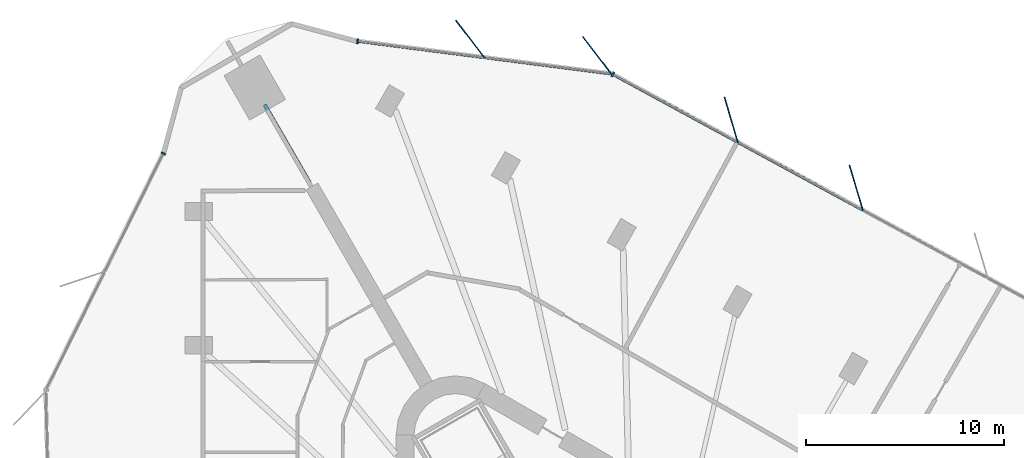
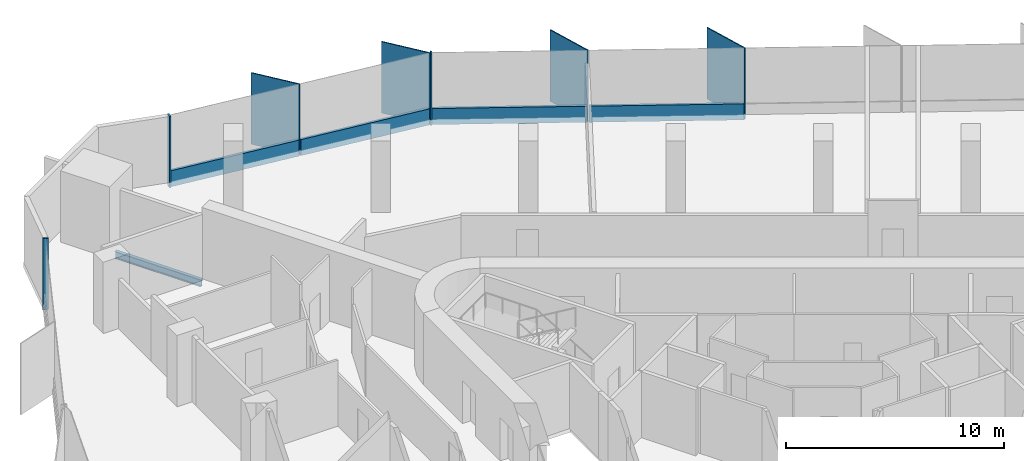
# One storey, part 6 of 14: 11 members, 1 beam, 3 elements without a shape of their own.
"""IFC4 building model written with IfcOpenShell, lengths in metres."""

import ifcopenshell
import ifcopenshell.guid

model = None  # the IFC model being written
_history = None  # IfcOwnerHistory: only IFC2X3 demands one
_inside = {}  # id of a spatial element -> (the spatial element, [elements in it])
_under = {}  # id of a project, library or spatial element -> (it, [spatial elements below it])
_declared = {}  # id of a project -> (the project, [libraries it declares])
_typed = {}  # id of a type object -> (the type object, [elements of that type])
_made_of = {}  # id of a material, layer set ... -> (it, [elements and type objects made of it])


def new_model(schema):
    """Start an empty IFC model of exactly this schema.

    Asked for "IFC4X3", IfcOpenShell would pick the latest addendum, in which some entities
    have other attributes; the version numbers below select the first issue.
    IFC2X3 requires an IfcOwnerHistory on every rooted entity: one is made here for all.
    """
    global model, _history
    if schema == "IFC4X3":
        model = ifcopenshell.file(schema_version=(4, 3, 0, 0))
    else:
        model = ifcopenshell.file(schema=schema)
    _inside.clear()
    _under.clear()
    _declared.clear()
    _typed.clear()
    _made_of.clear()
    _history = None
    if model.schema == "IFC2X3":
        org = make("IfcOrganization", Name="unknown")
        user = make(
            "IfcPersonAndOrganization",
            ThePerson=make("IfcPerson", FamilyName="unknown"),
            TheOrganization=org,
        )
        app = make(
            "IfcApplication",
            ApplicationDeveloper=org,
            Version="unknown",
            ApplicationFullName="unknown",
            ApplicationIdentifier="unknown",
        )
        _history = make(
            "IfcOwnerHistory",
            OwningUser=user,
            OwningApplication=app,
            ChangeAction="ADDED",
            CreationDate=0,
        )
    return model


def make(cls, **values):
    """One entity of the class cls with the attributes given. An attribute that is None is left unset."""
    return model.create_entity(
        cls, **{name: value for name, value in values.items() if value is not None}
    )


def rooted(cls, **values):
    """An entity with a GlobalId (a new one), such as an element, a storey or a relation."""
    return make(cls, GlobalId=ifcopenshell.guid.new(), OwnerHistory=_history, **values)


def si_unit(unit_type, name, prefix=None):
    """IfcSIUnit, for example si_unit("LENGTHUNIT", "METRE", prefix="MILLI")."""
    return make("IfcSIUnit", UnitType=unit_type, Prefix=prefix, Name=name)


def assignment(units):
    """IfcUnitAssignment: the units of a project."""
    return None if units is None else make("IfcUnitAssignment", Units=units)


def point(xyz):
    """IfcCartesianPoint."""
    return None if xyz is None else make("IfcCartesianPoint", Coordinates=xyz)


def direction(xyz):
    """IfcDirection."""
    return None if xyz is None else make("IfcDirection", DirectionRatios=xyz)


def frame(location, z_axis=None, x_axis=None):
    """IfcAxis2Placement3D, a coordinate frame: its origin and axes. An axis left out is left unset."""
    return make(
        "IfcAxis2Placement3D",
        Location=point(location),
        Axis=direction(z_axis),
        RefDirection=direction(x_axis),
    )


def frame_2d(location, x_axis=None):
    """IfcAxis2Placement2D, a coordinate frame in the plane: its origin and x axis."""
    return make(
        "IfcAxis2Placement2D", Location=point(location), RefDirection=direction(x_axis)
    )


def origin():
    """The frame at (0, 0, 0) with its axes left unset."""
    return frame((0.0, 0.0, 0.0))


def origin_2d():
    """The frame at (0, 0) in the plane with its x axis left unset."""
    return frame_2d((0.0, 0.0))


def place(relative_to, where):
    """IfcLocalPlacement: puts the frame where relative to a parent placement (None: the world)."""
    return make(
        "IfcLocalPlacement", PlacementRelTo=relative_to, RelativePlacement=where
    )


def context(
    kind, dimensions, precision=None, world=None, true_north=None, identifier=None
):
    """IfcGeometricRepresentationContext, for example the 3D "Model" context."""
    return make(
        "IfcGeometricRepresentationContext",
        ContextIdentifier=identifier,
        ContextType=kind,
        CoordinateSpaceDimension=dimensions,
        Precision=precision,
        WorldCoordinateSystem=world,
        TrueNorth=true_north,
    )


def subcontext(parent, identifier, kind, view, scale=None):
    """IfcGeometricRepresentationSubContext, for example "Body" below "Model"."""
    return make(
        "IfcGeometricRepresentationSubContext",
        ContextIdentifier=identifier,
        ContextType=kind,
        ParentContext=parent,
        TargetScale=scale,
        TargetView=view,
    )


def project(units=None, contexts=None):
    """IfcProject with its units and contexts."""
    return rooted(
        "IfcProject",
        Name="project",
        RepresentationContexts=contexts,
        UnitsInContext=assignment(units),
    )


def spatial(cls, under=None, at=None, **own):
    """A site, building, storey or space (cls), placed at a placement, below another one or the project."""
    s = rooted(cls, ObjectPlacement=at, **own)
    if under is not None:
        _under.setdefault(under.id(), (under, []))[1].append(s)
    return s


def profile(cls, at=None, kind="AREA", **sizes):
    """A parametric profile (cls). Its sizes go by their IFC names, for example OverallWidth=200.0."""
    return make(cls, ProfileType=kind, Position=at, **sizes)


def rectangle(**sizes):
    """IfcRectangleProfileDef."""
    return profile("IfcRectangleProfileDef", **sizes)


def i_section(**sizes):
    """IfcIShapeProfileDef."""
    return profile("IfcIShapeProfileDef", **sizes)


def extrude(swept, where, along, depth):
    """IfcExtrudedAreaSolid: the profile swept, set in the frame where, extruded along a direction by depth."""
    return make(
        "IfcExtrudedAreaSolid",
        SweptArea=swept,
        Position=where,
        ExtrudedDirection=direction(along),
        Depth=depth,
    )


def shape(context_of_items, identifier, shape_type, items):
    """IfcShapeRepresentation: the items that make up one representation, for example the "Body"."""
    return make(
        "IfcShapeRepresentation",
        ContextOfItems=context_of_items,
        RepresentationIdentifier=identifier,
        RepresentationType=shape_type,
        Items=items,
    )


def material(Name=None, Category=None):
    """IfcMaterial."""
    return make("IfcMaterial", Name=Name, Category=Category)


def material_profile(
    of_material, cross_section, Name=None, Category=None, Priority=None
):
    """IfcMaterialProfile: a cross section and its material."""
    return make(
        "IfcMaterialProfile",
        Name=Name,
        Material=of_material,
        Profile=cross_section,
        Priority=Priority,
        Category=Category,
    )


def profile_set(profiles, Name=None, composite=None):
    """IfcMaterialProfileSet."""
    return make(
        "IfcMaterialProfileSet",
        Name=Name,
        MaterialProfiles=profiles,
        CompositeProfile=composite,
    )


def made_of(thing, what):
    """Note that an element or type object is made of a material, layer set ...; save() writes the relation."""
    if what is not None:
        _made_of.setdefault(what.id(), (what, []))[1].append(thing)
    return thing


def type_object(cls, material=None, **own):
    """A type object (cls), such as IfcWallType, which elements share."""
    return made_of(rooted(cls, **own), material)


def element(
    cls,
    number,
    at=None,
    inside=None,
    cuts=None,
    type_object=None,
    material=None,
    context=None,
    identifier="Body",
    shape_type=None,
    held_by="IfcProductDefinitionShape",
    body=None,
    shapes=None,
    **own,
):
    """One element of the class cls, such as IfcWall. Its Tag is "e" and its number.

    at: its placement. inside: the storey or other place that contains it. cuts: it is an
    opening in that element (IfcRelVoidsElement). A single representation is given by context,
    identifier, shape_type and body (its items); several are given by shapes. held_by: the class
    of the entity that holds the representations. save() writes the other relations.
    """
    e = rooted(cls, Tag="e%d" % number, ObjectPlacement=at, **own)
    if body is not None:
        shapes = [shape(context, identifier, shape_type, body)]
    if shapes is not None:
        e.Representation = make(held_by, Representations=shapes)
    if inside is not None:
        _inside.setdefault(inside.id(), (inside, []))[1].append(e)
    if cuts is not None:
        rooted(
            "IfcRelVoidsElement", RelatingBuildingElement=cuts, RelatedOpeningElement=e
        )
    if type_object is not None:
        _typed.setdefault(type_object.id(), (type_object, []))[1].append(e)
    return made_of(e, material)


def aggregate(whole, parts):
    """IfcRelAggregates: a whole, such as a stair, and the parts it consists of."""
    return rooted("IfcRelAggregates", RelatingObject=whole, RelatedObjects=parts)


def save(model, path):
    """Write the relations noted so far, then the file.

    IfcRelAggregates (storeys below a building ...), IfcRelContainedInSpatialStructure (elements
    in a storey), IfcRelDefinesByType, IfcRelAssociatesMaterial and IfcRelDeclares: one each for
    every whole, place, type object, material and project.
    """
    for whole, parts in _under.values():
        aggregate(whole, parts)
    for where, things in _inside.values():
        rooted(
            "IfcRelContainedInSpatialStructure",
            RelatedElements=things,
            RelatingStructure=where,
        )
    for kind, things in _typed.values():
        rooted("IfcRelDefinesByType", RelatedObjects=things, RelatingType=kind)
    for what, things in _made_of.values():
        rooted("IfcRelAssociatesMaterial", RelatedObjects=things, RelatingMaterial=what)
    for by, libraries in _declared.values():
        rooted("IfcRelDeclares", RelatingContext=by, RelatedDefinitions=libraries)
    model.write(path)


model = new_model("IFC4")

# Units and contexts
model_context = context("Model", 3, precision=1e-05, world=origin(), true_north=direction((0.0, 1.0)))
body_context = subcontext(model_context, "Body", "Model", "MODEL_VIEW")
ifc_project = project(units=[si_unit("LENGTHUNIT", "METRE"), si_unit("AREAUNIT", "SQUARE_METRE"), si_unit("VOLUMEUNIT", "CUBIC_METRE"), si_unit("PLANEANGLEUNIT", "RADIAN"), si_unit("MASSUNIT", "GRAM", prefix="KILO")], contexts=[model_context])

# Site, building, storey
site_placement = place(None, origin())
site = spatial("IfcSite", under=ifc_project, at=site_placement, CompositionType="ELEMENT")
building_placement = place(site_placement, origin())
building = spatial("IfcBuilding", under=site, at=building_placement, Name="Tanit Gate Tower", CompositionType="ELEMENT")
storey_placement = place(building_placement, frame((0.0, 0.0, 217.199951171875)))
storey = spatial("IfcBuildingStorey", under=building, at=storey_placement, Name="L48", CompositionType="ELEMENT", Elevation=217.199951171875)

# Curtain wall, members
ifc_material_1 = material(Name="Aluminium bronze anodised and glass", Category="aluminium")
curtain_wall_type = type_object("IfcCurtainWallType", Name="Curtain wall typical mid", PredefinedType="NOTDEFINED", material=ifc_material_1)
curtain_wall_1_placement = place(storey_placement, origin())
curtain_wall_1 = element("IfcCurtainWall", 1, at=curtain_wall_1_placement, inside=storey, type_object=curtain_wall_type, Name="Curtain wall L48 NE2", PredefinedType="NOTDEFINED")
ifc_material_2 = material(Name="Aluminium bronze anodised", Category="aluminium")
ifc_material_profile_1 = material_profile(ifc_material_2, rectangle(XDim=2.39990234375, YDim=0.055908203125, at=origin_2d()), Name="56x2400 bronze fin mullion")
ifc_profile_set_1 = profile_set([ifc_material_profile_1], Name="Aluminium bronze anodised")
member_type_1 = type_object("IfcMemberType", Name="FIN MULLION 56x2400 bronze", PredefinedType="MULLION", material=ifc_profile_set_1)
member_1_placement = place(storey_placement, frame((11.185546875, 28.281982421875, -0.300048828125), z_axis=(0.0, 0.0, 1.0), x_axis=(0.283905588939, -0.958852239174, 0.0)))
member_1 = element("IfcMember", 2, at=member_1_placement, type_object=member_type_1, Name="Fin mullion L48 NE2.4", PredefinedType="MULLION", context=body_context, shape_type="SweptSolid", body=[
    extrude(rectangle(XDim=2.39990234375, YDim=0.055908203125, at=origin_2d()), origin(), (0.0, 0.0, 1.0), 4.0),
])
member_2_placement = place(storey_placement, frame((4.85888671875, 31.718017578125, -0.300048828125), z_axis=(0.0, 0.0, 1.0), x_axis=(0.283905588939, -0.958852239174, 0.0)))
member_2 = element("IfcMember", 3, at=member_2_placement, type_object=member_type_1, Name="Fin mullion L48 NE2.5", PredefinedType="MULLION", context=body_context, shape_type="SweptSolid", body=[
    extrude(rectangle(XDim=2.39990234375, YDim=0.055908203125, at=origin_2d()), origin(), (0.0, 0.0, 1.0), 4.0),
])

curtain_wall_2_placement = place(storey_placement, origin())
curtain_wall_2 = element("IfcCurtainWall", 4, at=curtain_wall_2_placement, inside=storey, type_object=curtain_wall_type, Name="Curtain wall L48 NE3", PredefinedType="NOTDEFINED")
member_3_placement = place(storey_placement, frame((-1.928466796875, 34.981201171875, -0.300048828125), z_axis=(0.0, 0.0, 1.0), x_axis=(0.611136893186, -0.791524919246, 0.0)))
member_3 = element("IfcMember", 5, at=member_3_placement, type_object=member_type_1, Name="Fin mullion L48 NE3.1", PredefinedType="MULLION", context=body_context, shape_type="SweptSolid", body=[
    extrude(rectangle(XDim=2.39990234375, YDim=0.055908203125, at=origin_2d()), origin(), (0.0, 0.0, 1.0), 4.0),
])
member_4_placement = place(storey_placement, frame((-8.352294921875, 35.807373046875, -0.300048828125), z_axis=(0.0, 0.0, 1.0), x_axis=(0.611136893186, -0.791524919246, 0.0)))
member_4 = element("IfcMember", 6, at=member_4_placement, type_object=member_type_1, Name="Fin mullion L48 NE3.2", PredefinedType="MULLION", context=body_context, shape_type="SweptSolid", body=[
    extrude(rectangle(XDim=2.39990234375, YDim=0.055908203125, at=origin_2d()), origin(), (0.0, 0.0, 1.0), 4.0),
])

# Member
ifc_material_3 = material(Name="Aluminium bronze anodised", Category="aluminium")
ifc_material_profile_2 = material_profile(ifc_material_3, rectangle(XDim=0.260009765625, YDim=0.080078125, at=origin_2d()), Name="80x260 bronze mullion")
ifc_profile_set_2 = profile_set([ifc_material_profile_2], Name="Aluminium bronze anodised")
member_type_2 = type_object("IfcMemberType", Name="Mullion 80x260 typical mid", PredefinedType="MULLION", material=ifc_profile_set_2)
member_5_placement = place(storey_placement, frame((-1.13330078125, 34.02392578125, -0.300048828125), z_axis=(0.0, 0.0, 1.0), x_axis=(-0.477259353321, -0.878762487631, 0.0)))
member_5 = element("IfcMember", 7, at=member_5_placement, type_object=member_type_2, Name="Mullion L48 NE2.6", PredefinedType="MULLION", context=body_context, shape_type="SweptSolid", body=[
    extrude(rectangle(XDim=0.260009765625, YDim=0.080078125, at=origin_2d()), origin(), (0.0, 0.0, 1.0), 4.0),
])

member_6_placement = place(storey_placement, frame((-14.055419921875, 35.700439453125, -0.300048828125), z_axis=(0.0, 0.0, 1.0), x_axis=(-0.127553596472, -0.991831679282, 0.0)))
member_6 = element("IfcMember", 8, at=member_6_placement, type_object=member_type_2, Name="Mullion L48 NE3.3", PredefinedType="MULLION", context=body_context, shape_type="SweptSolid", body=[
    extrude(rectangle(XDim=0.260009765625, YDim=0.080078125, at=origin_2d()), origin(), (0.0, 0.0, 1.0), 4.0),
])

# Curtain wall, member
curtain_wall_3_placement = place(storey_placement, origin())
curtain_wall_3 = element("IfcCurtainWall", 9, at=curtain_wall_3_placement, inside=storey, type_object=curtain_wall_type, Name="Curtain wall L48 W1", PredefinedType="NOTDEFINED")
member_7_placement = place(storey_placement, frame((-23.89306640625, 30.019775390625, -0.300048828125), z_axis=(0.0, 0.0, 1.0), x_axis=(0.895875921171, -0.444304325734, 0.0)))
member_7 = element("IfcMember", 10, at=member_7_placement, type_object=member_type_2, Name="Mullion L48 W1.1", PredefinedType="MULLION", context=body_context, shape_type="SweptSolid", body=[
    extrude(rectangle(XDim=0.260009765625, YDim=0.080078125, at=origin_2d()), origin(), (0.0, 0.0, 1.0), 4.0),
])
aggregate(curtain_wall_3, [member_7])

# Beam
ifc_material_4 = material(Name="Steel S355", Category="steel")
ifc_material_profile_3 = material_profile(ifc_material_4, i_section(OverallWidth=0.179931640625, OverallDepth=0.39990234375, WebThickness=0.008544921875, FlangeThickness=0.013427734375, FilletRadius=0.02099609375, at=origin_2d()), Name="IPE 400")
ifc_profile_set_3 = profile_set([ifc_material_profile_3], Name="Steel S355")
beam_type = type_object("IfcBeamType", Name="RADIAL GIRDER IPE 400 S355", PredefinedType="BEAM", material=ifc_profile_set_3)
beam_placement = place(storey_placement, frame((-18.755615234375, 32.485595703125, -0.5), z_axis=(0.500013963156, -0.866017342002, 0.0), x_axis=(0.866017342002, 0.500013963156, 0.0)))
element("IfcBeam", 11, at=beam_placement, inside=storey, type_object=beam_type, Name="RADIAL GIRDER", PredefinedType="BEAM", context=body_context, shape_type="SweptSolid", body=[
    extrude(i_section(OverallWidth=0.179931640625, OverallDepth=0.39990234375, WebThickness=0.008544921875, FlangeThickness=0.013427734375, FilletRadius=0.02099609375, at=origin_2d()), origin(), (0.0, 0.0, 1.0), 4.567138671875),
])

# Member
ifc_material_5 = material(Name="Aluminium bronze anodised", Category="aluminium")
ifc_material_profile_4 = material_profile(ifc_material_5, rectangle(XDim=0.139892578125, YDim=0.89990234375, at=origin_2d()), Name="140x900 bronze transom")
ifc_profile_set_4 = profile_set([ifc_material_profile_4], Name="Aluminium bronze anodised")
member_type_3 = type_object("IfcMemberType", Name="Transom 140x900 typical mid", PredefinedType="USERDEFINED", material=ifc_profile_set_4)
member_8_placement = place(storey_placement, frame((11.485107421875, 27.1708984375, 0.150146484375), z_axis=(-0.878764273832, 0.477256064432, 0.0), x_axis=(-0.477256064432, -0.878764273832, 0.0)))
member_8 = element("IfcMember", 12, at=member_8_placement, type_object=member_type_3, Name="Transom L48 NE2.4", ObjectType="TRANSOM", PredefinedType="USERDEFINED", context=body_context, shape_type="SweptSolid", body=[
    extrude(rectangle(XDim=0.139892578125, YDim=0.89990234375, at=origin_2d()), origin(), (0.0, 0.0, 1.0), 7.119873046875),
])

member_9_placement = place(storey_placement, frame((5.158203125, 30.60693359375, 0.150146484375), z_axis=(-0.878756463002, 0.477270446112, 0.0), x_axis=(-0.477270446112, -0.878756463002, 0.0)))
member_9 = element("IfcMember", 13, at=member_9_placement, type_object=member_type_3, Name="Transom L48 NE2.5", ObjectType="TRANSOM", PredefinedType="USERDEFINED", context=body_context, shape_type="SweptSolid", body=[
    extrude(rectangle(XDim=0.139892578125, YDim=0.89990234375, at=origin_2d()), origin(), (0.0, 0.0, 1.0), 7.11962890625),
])

aggregate(curtain_wall_1, [member_1, member_2, member_5, member_8, member_9])

member_10_placement = place(storey_placement, frame((-1.247802734375, 34.05322265625, 0.150146484375), z_axis=(-0.991831223032, 0.12755714413, 0.0), x_axis=(-0.12755714413, -0.991831223032, 0.0)))
member_10 = element("IfcMember", 14, at=member_10_placement, type_object=member_type_3, Name="Transom L48 NE3.1", ObjectType="TRANSOM", PredefinedType="USERDEFINED", context=body_context, shape_type="SweptSolid", body=[
    extrude(rectangle(XDim=0.139892578125, YDim=0.89990234375, at=origin_2d()), origin(), (0.0, 0.0, 1.0), 6.396484375),
])

member_11_placement = place(storey_placement, frame((-7.67138671875, 34.87939453125, 0.150146484375), z_axis=(-0.991831223032, 0.12755714413, 0.0), x_axis=(-0.12755714413, -0.991831223032, 0.0)))
member_11 = element("IfcMember", 15, at=member_11_placement, type_object=member_type_3, Name="Transom L48 NE3.2", ObjectType="TRANSOM", PredefinedType="USERDEFINED", context=body_context, shape_type="SweptSolid", body=[
    extrude(rectangle(XDim=0.139892578125, YDim=0.89990234375, at=origin_2d()), origin(), (0.0, 0.0, 1.0), 6.396484375),
])

aggregate(curtain_wall_2, [member_3, member_4, member_6, member_10, member_11])

save(model, "model.ifc")
